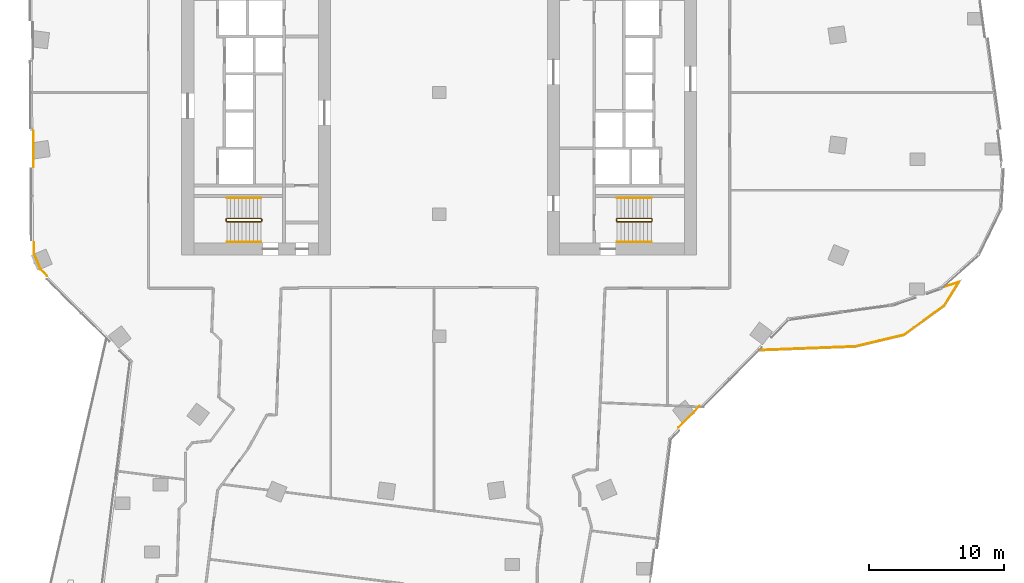
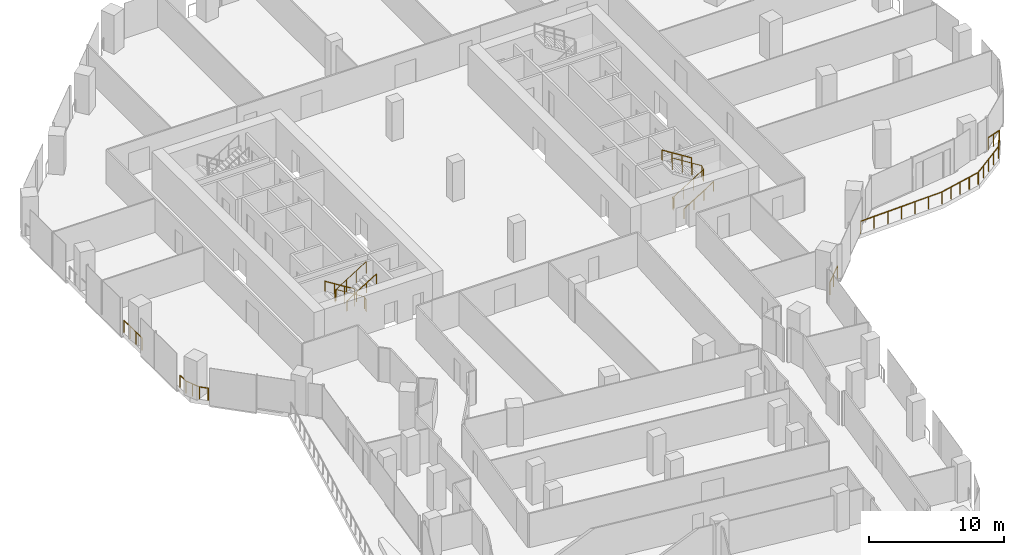
# One storey, part 27 of 29: 10 railings.
"""IFC4 building model written with IfcOpenShell, lengths in metres."""

from ifc_helpers import new_model, si_unit, direction, frame, origin, origin_2d, place, context, subcontext, project, spatial, circle, extrude, material, type_object, element, save


model = new_model("IFC4")

# Units and contexts
model_context = context("Model", 3, precision=1e-05, world=origin(), true_north=direction((0.0, 1.0)))
body_context = subcontext(model_context, "Body", "Model", "MODEL_VIEW")
ifc_project = project(units=[si_unit("LENGTHUNIT", "METRE"), si_unit("AREAUNIT", "SQUARE_METRE"), si_unit("VOLUMEUNIT", "CUBIC_METRE"), si_unit("PLANEANGLEUNIT", "RADIAN"), si_unit("MASSUNIT", "GRAM", prefix="KILO")], contexts=[model_context])

# Site, building, storey
site_placement = place(None, origin())
site = spatial("IfcSite", under=ifc_project, at=site_placement, CompositionType="ELEMENT")
building_placement = place(site_placement, origin())
building = spatial("IfcBuilding", under=site, at=building_placement, Name="Orlundy Tower", CompositionType="ELEMENT")
storey_placement = place(building_placement, frame((0.0, 0.0, 188.60009765625)))
storey = spatial("IfcBuildingStorey", under=building, at=storey_placement, Name="L49", CompositionType="ELEMENT", Elevation=188.60009765625)

# Railings
ifc_material_1 = material(Name="Steel balustrade", Category="steel")
railing_type_1 = type_object("IfcRailingType", Name="Stair Guard 1100", PredefinedType="GUARDRAIL", material=ifc_material_1)
railing_1_placement = place(storey_placement, frame((-13.090087890625, -9.35009765625, 0.0)))
element("IfcRailing", 1, at=railing_1_placement, inside=storey, type_object=railing_type_1, Name="L49 ST-W2 stair guard 1", PredefinedType="GUARDRAIL", context=body_context, shape_type="SweptSolid", body=[
    extrude(circle(Radius=0.02392578125, at=origin_2d()), frame((0.0, 0.0, 1.076171875), z_axis=(0.0, -1.0, 0.0), x_axis=(1.0, 0.0, 0.0)), (0.0, 0.0, 1.0), 0.14990234375),
    extrude(circle(Radius=0.02392578125, at=origin_2d()), frame((0.0, -0.14990234375, 1.076171875), z_axis=(-0.184313129624, 0.739963005698, 0.646902945152), x_axis=(-0.970351222016, -0.241699205484, 0.0)), (0.0, 0.0, 1.0), 0.270263671875),
    extrude(circle(Radius=0.02392578125, at=origin_2d()), frame((-0.0498046875, 0.050048828125, 1.2509765625), z_axis=(-0.847970611238, 0.0, 0.530043245855), x_axis=(0.0, -1.0, 0.0)), (0.0, 0.0, 1.0), 2.971923828125),
    extrude(circle(Radius=0.02392578125, at=origin_2d()), frame((-2.56982421875, 0.050048828125, 2.826171875), z_axis=(-0.707106781187, -0.707106781187, 0.0), x_axis=(0.707106781187, -0.707106781187, 0.0)), (0.0, 0.0, 1.0), 0.07080078125),
    extrude(circle(Radius=0.02392578125, at=origin_2d()), frame((-2.619873046875, 0.0, 2.826171875), z_axis=(0.0, -1.0, 0.0), x_axis=(1.0, 0.0, 0.0)), (0.0, 0.0, 1.0), 0.14990234375),
    extrude(circle(Radius=0.02392578125, at=origin_2d()), frame((-2.619873046875, -0.14990234375, 2.826171875), z_axis=(0.265383341853, -0.265383341853, 0.926899867156), x_axis=(0.707106781187, 0.707106781187, 0.0)), (0.0, 0.0, 1.0), 0.1884765625),
    extrude(circle(Radius=0.02392578125, at=origin_2d()), frame((-2.56982421875, -0.199951171875, 3.0009765625), z_axis=(0.847970611238, 0.0, 0.530043245855), x_axis=(0.0, 1.0, 0.0)), (0.0, 0.0, 1.0), 2.971923828125),
    extrude(circle(Radius=0.02099609375, at=origin_2d()), origin(), (0.0, 0.0, 1.0), 1.052001953125),
    extrude(circle(Radius=0.02099609375, at=origin_2d()), frame((0.0, -0.14990234375, 0.0)), (0.0, 0.0, 1.0), 1.052001953125),
    extrude(circle(Radius=0.02099609375, at=origin_2d()), frame((-0.0498046875, 0.050048828125, 0.1748046875)), (0.0, 0.0, 1.0), 1.052001953125),
    extrude(circle(Radius=0.02099609375, at=origin_2d()), frame((-0.889892578125, 0.050048828125, 0.699951171875)), (0.0, 0.0, 1.0), 1.052001953125),
    extrude(circle(Radius=0.02099609375, at=origin_2d()), frame((-1.729736328125, 0.050048828125, 1.224853515625)), (0.0, 0.0, 1.0), 1.052001953125),
    extrude(circle(Radius=0.02099609375, at=origin_2d()), frame((-2.56982421875, 0.050048828125, 1.75)), (0.0, 0.0, 1.0), 1.052001953125),
    extrude(circle(Radius=0.02099609375, at=origin_2d()), frame((-2.619873046875, 0.0, 1.75)), (0.0, 0.0, 1.0), 1.052001953125),
    extrude(circle(Radius=0.02099609375, at=origin_2d()), frame((-2.619873046875, -0.14990234375, 1.75)), (0.0, 0.0, 1.0), 1.052001953125),
    extrude(circle(Radius=0.02099609375, at=origin_2d()), frame((-2.56982421875, -0.199951171875, 1.9248046875)), (0.0, 0.0, 1.0), 1.052001953125),
    extrude(circle(Radius=0.02099609375, at=origin_2d()), frame((-1.729736328125, -0.199951171875, 2.449951171875)), (0.0, 0.0, 1.0), 1.052001953125),
    extrude(circle(Radius=0.02099609375, at=origin_2d()), frame((-0.889892578125, -0.199951171875, 2.974853515625)), (0.0, 0.0, 1.0), 1.052001953125),
    extrude(circle(Radius=0.02099609375, at=origin_2d()), frame((-0.0498046875, -0.199951171875, 3.5)), (0.0, 0.0, 1.0), 1.052001953125),
])
railing_2_placement = place(storey_placement, frame((13.090087890625, -9.5, 0.0)))
element("IfcRailing", 2, at=railing_2_placement, inside=storey, type_object=railing_type_1, Name="L49 ST-E1 stair guard 1", PredefinedType="GUARDRAIL", context=body_context, shape_type="SweptSolid", body=[
    extrude(circle(Radius=0.02392578125, at=origin_2d()), frame((0.0, 0.0, 1.076171875), z_axis=(0.0, 1.0, 0.0), x_axis=(-1.0, 0.0, 0.0)), (0.0, 0.0, 1.0), 0.14990234375),
    extrude(circle(Radius=0.02392578125, at=origin_2d()), frame((0.0, 0.14990234375, 1.076171875), z_axis=(0.184313129624, -0.739963005698, 0.646902945152), x_axis=(0.970351222016, 0.241699205484, 0.0)), (0.0, 0.0, 1.0), 0.270263671875),
    extrude(circle(Radius=0.02392578125, at=origin_2d()), frame((0.0498046875, -0.050048828125, 1.2509765625), z_axis=(0.847970611238, 0.0, 0.530043245855), x_axis=(0.0, 1.0, 0.0)), (0.0, 0.0, 1.0), 2.971923828125),
    extrude(circle(Radius=0.02392578125, at=origin_2d()), frame((2.56982421875, -0.050048828125, 2.826171875), z_axis=(0.707106781187, 0.707106781187, 0.0), x_axis=(-0.707106781187, 0.707106781187, 0.0)), (0.0, 0.0, 1.0), 0.07080078125),
    extrude(circle(Radius=0.02392578125, at=origin_2d()), frame((2.619873046875, 0.0, 2.826171875), z_axis=(0.0, 1.0, 0.0), x_axis=(-1.0, 0.0, 0.0)), (0.0, 0.0, 1.0), 0.14990234375),
    extrude(circle(Radius=0.02392578125, at=origin_2d()), frame((2.619873046875, 0.14990234375, 2.826171875), z_axis=(-0.265383341853, 0.265383341853, 0.926899867156), x_axis=(-0.707106781187, -0.707106781187, 0.0)), (0.0, 0.0, 1.0), 0.1884765625),
    extrude(circle(Radius=0.02392578125, at=origin_2d()), frame((2.56982421875, 0.199951171875, 3.0009765625), z_axis=(-0.847970611238, 0.0, 0.530043245855), x_axis=(0.0, -1.0, 0.0)), (0.0, 0.0, 1.0), 2.971923828125),
    extrude(circle(Radius=0.02099609375, at=origin_2d()), origin(), (0.0, 0.0, 1.0), 1.052001953125),
    extrude(circle(Radius=0.02099609375, at=origin_2d()), frame((0.0, 0.14990234375, 0.0)), (0.0, 0.0, 1.0), 1.052001953125),
    extrude(circle(Radius=0.02099609375, at=origin_2d()), frame((0.0498046875, -0.050048828125, 0.1748046875)), (0.0, 0.0, 1.0), 1.052001953125),
    extrude(circle(Radius=0.02099609375, at=origin_2d()), frame((0.889892578125, -0.050048828125, 0.699951171875)), (0.0, 0.0, 1.0), 1.052001953125),
    extrude(circle(Radius=0.02099609375, at=origin_2d()), frame((1.729736328125, -0.050048828125, 1.224853515625)), (0.0, 0.0, 1.0), 1.052001953125),
    extrude(circle(Radius=0.02099609375, at=origin_2d()), frame((2.56982421875, -0.050048828125, 1.75)), (0.0, 0.0, 1.0), 1.052001953125),
    extrude(circle(Radius=0.02099609375, at=origin_2d()), frame((2.619873046875, 0.0, 1.75)), (0.0, 0.0, 1.0), 1.052001953125),
    extrude(circle(Radius=0.02099609375, at=origin_2d()), frame((2.619873046875, 0.14990234375, 1.75)), (0.0, 0.0, 1.0), 1.052001953125),
    extrude(circle(Radius=0.02099609375, at=origin_2d()), frame((2.56982421875, 0.199951171875, 1.9248046875)), (0.0, 0.0, 1.0), 1.052001953125),
    extrude(circle(Radius=0.02099609375, at=origin_2d()), frame((1.729736328125, 0.199951171875, 2.449951171875)), (0.0, 0.0, 1.0), 1.052001953125),
    extrude(circle(Radius=0.02099609375, at=origin_2d()), frame((0.889892578125, 0.199951171875, 2.974853515625)), (0.0, 0.0, 1.0), 1.052001953125),
    extrude(circle(Radius=0.02099609375, at=origin_2d()), frame((0.0498046875, 0.199951171875, 3.5)), (0.0, 0.0, 1.0), 1.052001953125),
])
ifc_material_2 = material(Name="Steel handrail", Category="steel")
railing_type_2 = type_object("IfcRailingType", Name="Stair Handrail 900", PredefinedType="HANDRAIL", material=ifc_material_2)
railing_3_placement = place(storey_placement, frame((-13.139892578125, -7.800048828125, 0.1748046875)))
element("IfcRailing", 3, at=railing_3_placement, inside=storey, type_object=railing_type_2, Name="L49 ST-W2 stair handrail 1", PredefinedType="HANDRAIL", context=body_context, shape_type="SweptSolid", body=[
    extrude(circle(Radius=0.02392578125, at=origin_2d()), frame((0.0, 0.0, 0.8759765625), z_axis=(-0.847970611238, 0.0, 0.530043245855), x_axis=(0.0, -1.0, 0.0)), (0.0, 0.0, 1.0), 2.971923828125),
    extrude(circle(Radius=0.02099609375, at=origin_2d()), origin(), (0.0, 0.0, 1.0), 0.851806640625),
    extrude(circle(Radius=0.02099609375, at=origin_2d()), frame((-0.840087890625, 0.0, 0.525146484375)), (0.0, 0.0, 1.0), 0.851806640625),
    extrude(circle(Radius=0.02099609375, at=origin_2d()), frame((-1.679931640625, 0.0, 1.050048828125)), (0.0, 0.0, 1.0), 0.851806640625),
    extrude(circle(Radius=0.02099609375, at=origin_2d()), frame((-2.52001953125, 0.0, 1.5751953125)), (0.0, 0.0, 1.0), 0.851806640625),
])
for number, where, name in (
    (4, (-15.659912109375, -11.050048828125, 1.9248046875), "L49 ST-W2 stair handrail 2"),
    (5, (13.139892578125, -11.050048828125, 0.1748046875), "L49 ST-E1 stair handrail 1"),
):
    element("IfcRailing", number, at=place(storey_placement, frame(where)), inside=storey, type_object=railing_type_2, Name=name, PredefinedType="HANDRAIL", context=body_context, shape_type="SweptSolid", body=[
        extrude(circle(Radius=0.02392578125, at=origin_2d()), frame((0.0, 0.0, 0.8759765625), z_axis=(0.847970611238, 0.0, 0.530043245855), x_axis=(0.0, 1.0, 0.0)), (0.0, 0.0, 1.0), 2.971923828125),
        extrude(circle(Radius=0.02099609375, at=origin_2d()), origin(), (0.0, 0.0, 1.0), 0.851806640625),
        extrude(circle(Radius=0.02099609375, at=origin_2d()), frame((0.840087890625, 0.0, 0.525146484375)), (0.0, 0.0, 1.0), 0.851806640625),
        extrude(circle(Radius=0.02099609375, at=origin_2d()), frame((1.679931640625, 0.0, 1.050048828125)), (0.0, 0.0, 1.0), 0.851806640625),
        extrude(circle(Radius=0.02099609375, at=origin_2d()), frame((2.52001953125, 0.0, 1.5751953125)), (0.0, 0.0, 1.0), 0.851806640625),
    ])
railing_4_placement = place(storey_placement, frame((15.659912109375, -7.800048828125, 1.9248046875)))
element("IfcRailing", 6, at=railing_4_placement, inside=storey, type_object=railing_type_2, Name="L49 ST-E1 stair handrail 2", PredefinedType="HANDRAIL", context=body_context, shape_type="SweptSolid", body=[
    extrude(circle(Radius=0.02392578125, at=origin_2d()), frame((0.0, 0.0, 0.8759765625), z_axis=(-0.847970611238, 0.0, 0.530043245855), x_axis=(0.0, -1.0, 0.0)), (0.0, 0.0, 1.0), 2.971923828125),
    extrude(circle(Radius=0.02099609375, at=origin_2d()), origin(), (0.0, 0.0, 1.0), 0.851806640625),
    extrude(circle(Radius=0.02099609375, at=origin_2d()), frame((-0.840087890625, 0.0, 0.525146484375)), (0.0, 0.0, 1.0), 0.851806640625),
    extrude(circle(Radius=0.02099609375, at=origin_2d()), frame((-1.679931640625, 0.0, 1.050048828125)), (0.0, 0.0, 1.0), 0.851806640625),
    extrude(circle(Radius=0.02099609375, at=origin_2d()), frame((-2.52001953125, 0.0, 1.5751953125)), (0.0, 0.0, 1.0), 0.851806640625),
])
ifc_material_3 = material(Name="Stainless steel bronze finish", Category="steel")
railing_type_3 = type_object("IfcRailingType", Name="TG1 terrace guard", PredefinedType="GUARDRAIL", material=ifc_material_3)
railing_5_placement = place(storey_placement, frame((-28.925537109375, -13.53466796875, 0.0)))
element("IfcRailing", 7, at=railing_5_placement, inside=storey, type_object=railing_type_3, Name="Guard TG-L49-E04", PredefinedType="GUARDRAIL", context=body_context, shape_type="SweptSolid", body=[
    extrude(circle(Radius=0.02490234375, at=origin_2d()), frame((0.0, 0.0, 1.09521484375), z_axis=(-0.711282677566, 0.702906076652, 0.0), x_axis=(-0.702906076652, -0.711282677566, 0.0)), (0.0, 0.0, 1.0), 0.67041015625),
    extrude(circle(Radius=0.02490234375, at=origin_2d()), frame((-0.476806640625, 0.47119140625, 1.09521484375), z_axis=(-0.387901077283, 0.921701011306, 0.0), x_axis=(-0.921701011306, -0.387901077283, 0.0)), (0.0, 0.0, 1.0), 1.260009765625),
    extrude(circle(Radius=0.02490234375, at=origin_2d()), frame((-0.965576171875, 1.632568359375, 1.09521484375), z_axis=(-0.005810477159, 0.999983119035, 0.0), x_axis=(-0.999983119035, -0.005810477159, 0.0)), (0.0, 0.0, 1.0), 0.84033203125),
    extrude(circle(Radius=0.02001953125, at=origin_2d()), origin(), (0.0, 0.0, 1.0), 1.070068359375),
    extrude(circle(Radius=0.02001953125, at=origin_2d()), frame((-0.476806640625, 0.47119140625, 0.0)), (0.0, 0.0, 1.0), 1.070068359375),
    extrude(circle(Radius=0.02001953125, at=origin_2d()), frame((-0.72119140625, 1.0517578125, 0.0)), (0.0, 0.0, 1.0), 1.070068359375),
    extrude(circle(Radius=0.02001953125, at=origin_2d()), frame((-0.965576171875, 1.632568359375, 0.0)), (0.0, 0.0, 1.0), 1.070068359375),
    extrude(circle(Radius=0.02001953125, at=origin_2d()), frame((-0.970458984375, 2.472900390625, 0.0)), (0.0, 0.0, 1.0), 1.070068359375),
])
railing_6_placement = place(storey_placement, frame((-29.928466796875, -5.502197265625, 0.0)))
element("IfcRailing", 8, at=railing_6_placement, inside=storey, type_object=railing_type_3, Name="Guard TG-L49-E011", PredefinedType="GUARDRAIL", context=body_context, shape_type="SweptSolid", body=[
    extrude(circle(Radius=0.02490234375, at=origin_2d()), frame((0.0, 0.0, 1.09521484375), z_axis=(-0.005820300527, 0.999983061907, 0.0), x_axis=(-0.999983061907, -0.005820300527, 0.0)), (0.0, 0.0, 1.0), 2.642578125),
    extrude(circle(Radius=0.02001953125, at=origin_2d()), origin(), (0.0, 0.0, 1.0), 1.070068359375),
    extrude(circle(Radius=0.02001953125, at=origin_2d()), frame((-0.005126953125, 0.880859375, 0.0)), (0.0, 0.0, 1.0), 1.070068359375),
    extrude(circle(Radius=0.02001953125, at=origin_2d()), frame((-0.01025390625, 1.76171875, 0.0)), (0.0, 0.0, 1.0), 1.070068359375),
    extrude(circle(Radius=0.02001953125, at=origin_2d()), frame((-0.015380859375, 2.642578125, 0.0)), (0.0, 0.0, 1.0), 1.070068359375),
])
railing_7_placement = place(storey_placement, frame((19.228759765625, -23.16455078125, 0.0)))
element("IfcRailing", 9, at=railing_7_placement, inside=storey, type_object=railing_type_3, Name="Guard TG-L49-E015", PredefinedType="GUARDRAIL", context=body_context, shape_type="SweptSolid", body=[
    extrude(circle(Radius=0.02490234375, at=origin_2d()), frame((0.0, 0.0, 1.09521484375), z_axis=(-0.702930240313, -0.711258797663, 0.0), x_axis=(0.711258797663, -0.702930240313, 0.0)), (0.0, 0.0, 1.0), 2.198486328125),
    extrude(circle(Radius=0.02001953125, at=origin_2d()), origin(), (0.0, 0.0, 1.0), 1.070068359375),
    extrude(circle(Radius=0.02001953125, at=origin_2d()), frame((-0.772705078125, -0.78173828125, 0.0)), (0.0, 0.0, 1.0), 1.070068359375),
    extrude(circle(Radius=0.02001953125, at=origin_2d()), frame((-1.54541015625, -1.563720703125, 0.0)), (0.0, 0.0, 1.0), 1.070068359375),
])
railing_8_placement = place(storey_placement, frame((37.14013671875, -14.412109375, 0.0)))
element("IfcRailing", 10, at=railing_8_placement, inside=storey, type_object=railing_type_3, Name="Guard TG-L49-00", PredefinedType="GUARDRAIL", context=body_context, shape_type="SweptSolid", body=[
    extrude(circle(Radius=0.02490234375, at=origin_2d()), frame((0.0, 0.0, 1.09521484375), z_axis=(0.944990592669, 0.327097508042, 0.0), x_axis=(-0.327097508042, 0.944990592669, 0.0)), (0.0, 0.0, 1.0), 1.284423828125),
    extrude(circle(Radius=0.02490234375, at=origin_2d()), frame((1.2138671875, 0.420166015625, 1.09521484375), z_axis=(-0.526415618103, -0.850227379598, 0.0), x_axis=(0.850227379598, -0.526415618103, 0.0)), (0.0, 0.0, 1.0), 2.066650390625),
    extrude(circle(Radius=0.02490234375, at=origin_2d()), frame((0.1259765625, -1.3369140625, 1.09521484375), z_axis=(-0.810076312855, -0.586324455699, 0.0), x_axis=(0.586324455699, -0.810076312855, 0.0)), (0.0, 0.0, 1.0), 3.6650390625),
    extrude(circle(Radius=0.02490234375, at=origin_2d()), frame((-2.843017578125, -3.48583984375, 1.09521484375), z_axis=(-0.972650678915, -0.232272806857, 0.0), x_axis=(0.232272806857, -0.972650678915, 0.0)), (0.0, 0.0, 1.0), 3.6767578125),
    extrude(circle(Radius=0.02490234375, at=origin_2d()), frame((-6.419189453125, -4.33984375, 1.09521484375), z_axis=(-0.999282141248, -0.037884062376, 0.0), x_axis=(0.037884062376, -0.999282141248, 0.0)), (0.0, 0.0, 1.0), 7.12109375),
    extrude(circle(Radius=0.02001953125, at=origin_2d()), origin(), (0.0, 0.0, 1.0), 1.070068359375),
    extrude(circle(Radius=0.02001953125, at=origin_2d()), frame((0.60693359375, 0.2099609375, 0.0)), (0.0, 0.0, 1.0), 1.070068359375),
    extrude(circle(Radius=0.02001953125, at=origin_2d()), frame((1.2138671875, 0.420166015625, 0.0)), (0.0, 0.0, 1.0), 1.070068359375),
    extrude(circle(Radius=0.02001953125, at=origin_2d()), frame((0.669921875, -0.45849609375, 0.0)), (0.0, 0.0, 1.0), 1.070068359375),
    extrude(circle(Radius=0.02001953125, at=origin_2d()), frame((0.1259765625, -1.3369140625, 0.0)), (0.0, 0.0, 1.0), 1.070068359375),
    extrude(circle(Radius=0.02001953125, at=origin_2d()), frame((-0.6162109375, -1.8740234375, 0.0)), (0.0, 0.0, 1.0), 1.070068359375),
    extrude(circle(Radius=0.02001953125, at=origin_2d()), frame((-1.3583984375, -2.411376953125, 0.0)), (0.0, 0.0, 1.0), 1.070068359375),
    extrude(circle(Radius=0.02001953125, at=origin_2d()), frame((-2.100830078125, -2.94873046875, 0.0)), (0.0, 0.0, 1.0), 1.070068359375),
    extrude(circle(Radius=0.02001953125, at=origin_2d()), frame((-2.843017578125, -3.48583984375, 0.0)), (0.0, 0.0, 1.0), 1.070068359375),
    extrude(circle(Radius=0.02001953125, at=origin_2d()), frame((-3.737060546875, -3.69921875, 0.0)), (0.0, 0.0, 1.0), 1.070068359375),
    extrude(circle(Radius=0.02001953125, at=origin_2d()), frame((-4.631103515625, -3.912841796875, 0.0)), (0.0, 0.0, 1.0), 1.070068359375),
    extrude(circle(Radius=0.02001953125, at=origin_2d()), frame((-5.525146484375, -4.12646484375, 0.0)), (0.0, 0.0, 1.0), 1.070068359375),
    extrude(circle(Radius=0.02001953125, at=origin_2d()), frame((-6.419189453125, -4.33984375, 0.0)), (0.0, 0.0, 1.0), 1.070068359375),
    extrude(circle(Radius=0.02001953125, at=origin_2d()), frame((-7.605224609375, -4.384765625, 0.0)), (0.0, 0.0, 1.0), 1.070068359375),
    extrude(circle(Radius=0.02001953125, at=origin_2d()), frame((-8.791259765625, -4.4296875, 0.0)), (0.0, 0.0, 1.0), 1.070068359375),
    extrude(circle(Radius=0.02001953125, at=origin_2d()), frame((-9.97705078125, -4.474609375, 0.0)), (0.0, 0.0, 1.0), 1.070068359375),
    extrude(circle(Radius=0.02001953125, at=origin_2d()), frame((-11.1630859375, -4.519775390625, 0.0)), (0.0, 0.0, 1.0), 1.070068359375),
    extrude(circle(Radius=0.02001953125, at=origin_2d()), frame((-12.34912109375, -4.564697265625, 0.0)), (0.0, 0.0, 1.0), 1.070068359375),
    extrude(circle(Radius=0.02001953125, at=origin_2d()), frame((-13.53515625, -4.609619140625, 0.0)), (0.0, 0.0, 1.0), 1.070068359375),
])

save(model, "model.ifc")
